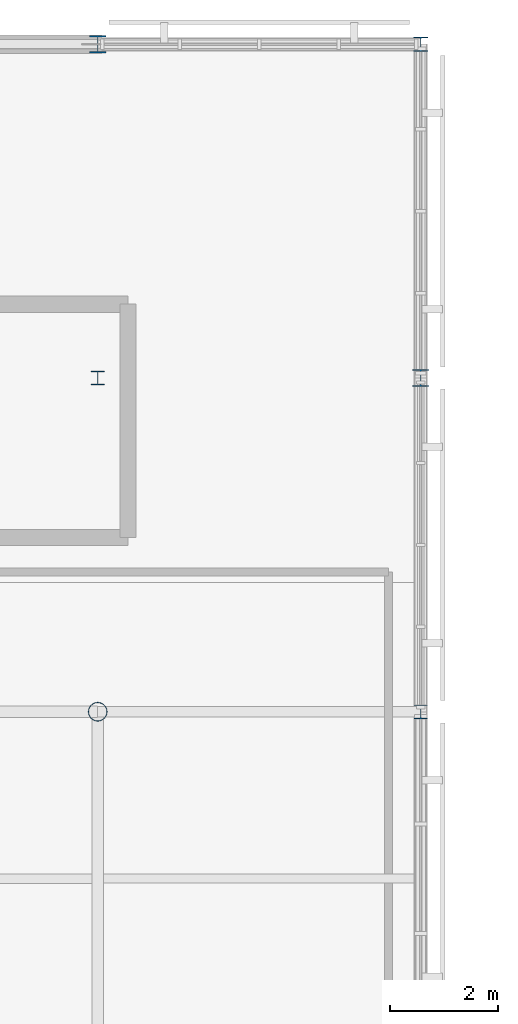
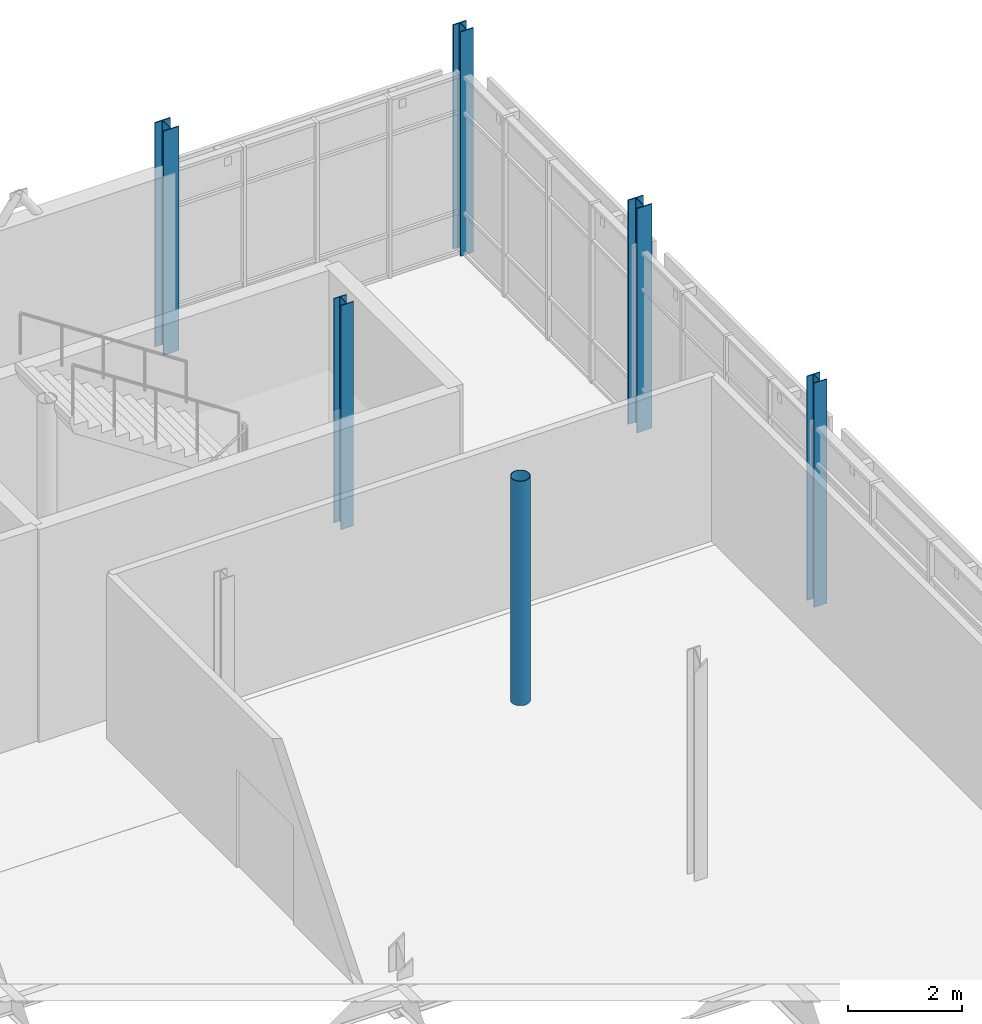
# One storey, part 18 of 84: 6 columns.
"""IFC4 building model written with IfcOpenShell, lengths in metres."""

from ifc_helpers import new_model, si_unit, direction, frame, origin, origin_2d, place, context, subcontext, project, spatial, hollow_circle, i_section, extrude, material, material_profile, profile_set, type_object, element, save


model = new_model("IFC4")

# Units and contexts
model_context = context("Model", 3, precision=1e-05, world=origin(), true_north=direction((0.0, 1.0)))
body_context = subcontext(model_context, "Body", "Model", "MODEL_VIEW")
ifc_project = project(units=[si_unit("LENGTHUNIT", "METRE"), si_unit("AREAUNIT", "SQUARE_METRE"), si_unit("VOLUMEUNIT", "CUBIC_METRE"), si_unit("PLANEANGLEUNIT", "RADIAN"), si_unit("MASSUNIT", "GRAM", prefix="KILO")], contexts=[model_context])

# Site, building, storey
site_placement = place(None, origin())
site = spatial("IfcSite", under=ifc_project, at=site_placement, CompositionType="ELEMENT")
building_placement = place(site_placement, origin())
building = spatial("IfcBuilding", under=site, at=building_placement, Name="Mirzam Square Science Centre", CompositionType="ELEMENT")
storey_placement = place(building_placement, frame((0.0, 0.0, 10.800048828125)))
storey = spatial("IfcBuildingStorey", under=building, at=storey_placement, Name="L02", CompositionType="ELEMENT", Elevation=10.800048828125)

# Columns
ifc_material = material(Name="Steel S355", Category="steel")
ifc_material_profile_1 = material_profile(ifc_material, hollow_circle(Radius=0.177734375, WallThickness=0.012451171875, at=origin_2d()), Name="355.6x12.5CHS")
ifc_profile_set_1 = profile_set([ifc_material_profile_1], Name="Steel S355")
column_type_1 = type_object("IfcColumnType", Name="COL-CHS355", PredefinedType="COLUMN", material=ifc_profile_set_1)
column_1_placement = place(storey_placement, frame((132.0, 99.199951171875, 0.0), z_axis=(0.0, 0.0, 1.0), x_axis=(1.0, 0.0, 0.0)))
element("IfcColumn", 1, at=column_1_placement, inside=storey, type_object=column_type_1, Name="L02 column G23-17", PredefinedType="COLUMN", context=body_context, shape_type="SweptSolid", body=[
    extrude(hollow_circle(Radius=0.177734375, WallThickness=0.012451171875, at=origin_2d()), origin(), (0.0, 0.0, 1.0), 4.800048828125),
])
ifc_material_profile_2 = material_profile(ifc_material, i_section(OverallWidth=0.25634765625, OverallDepth=0.26025390625, WebThickness=0.01025390625, FlangeThickness=0.017333984375, FilletRadius=0.0126953125, at=origin_2d()), Name="254x254x89UC")
ifc_profile_set_2 = profile_set([ifc_material_profile_2], Name="Steel S355")
column_type_2 = type_object("IfcColumnType", Name="COL-UC254A", PredefinedType="COLUMN", material=ifc_profile_set_2)
for number, where, z_axis, x_axis, name in (
    (2, (132.0, 105.39990234375, 0.0), (0.0, 0.0, 1.0), (1.0, 0.0, 0.0), "L02 column G23-18"),
    (3, (138.0, 99.199951171875, 0.0), (0.0, 0.0, 1.0), (1.0, 0.0, 0.0), "L02 column G24-17"),
):
    element("IfcColumn", number, at=place(storey_placement, frame(where, z_axis=z_axis, x_axis=x_axis)), inside=storey, type_object=column_type_2, Name=name, PredefinedType="COLUMN", context=body_context, shape_type="SweptSolid", body=[
        extrude(i_section(OverallWidth=0.25634765625, OverallDepth=0.26025390625, WebThickness=0.01025390625, FlangeThickness=0.017333984375, FilletRadius=0.0126953125, at=origin_2d()), origin(), (0.0, 0.0, 1.0), 4.800048828125),
    ])
ifc_material_profile_3 = material_profile(ifc_material, i_section(OverallWidth=0.26123046875, OverallDepth=0.2763671875, WebThickness=0.015380859375, FlangeThickness=0.025390625, FilletRadius=0.0126953125, at=origin_2d()), Name="254x254x132UC")
ifc_profile_set_3 = profile_set([ifc_material_profile_3], Name="Steel S355")
column_type_3 = type_object("IfcColumnType", Name="COL-UC254B", PredefinedType="COLUMN", material=ifc_profile_set_3)
column_2_placement = place(storey_placement, frame((138.0, 111.60009765625, 0.0), z_axis=(0.0, 0.0, 1.0), x_axis=(1.0, 0.0, 0.0)))
element("IfcColumn", 4, at=column_2_placement, inside=storey, type_object=column_type_3, Name="L02 column G24-19", PredefinedType="COLUMN", context=body_context, shape_type="SweptSolid", body=[
    extrude(i_section(OverallWidth=0.26123046875, OverallDepth=0.2763671875, WebThickness=0.015380859375, FlangeThickness=0.025390625, FilletRadius=0.0126953125, at=origin_2d()), origin(), (0.0, 0.0, 1.0), 4.800048828125),
])
ifc_material_profile_4 = material_profile(ifc_material, i_section(OverallWidth=0.30908203125, OverallDepth=0.320556640625, WebThickness=0.013916015625, FlangeThickness=0.021728515625, FilletRadius=0.01513671875, at=origin_2d()), Name="305x305x137UC")
ifc_profile_set_4 = profile_set([ifc_material_profile_4], Name="Steel S355")
column_type_4 = type_object("IfcColumnType", Name="COL-UC305A", PredefinedType="COLUMN", material=ifc_profile_set_4)
for number, where, z_axis, x_axis, name in (
    (5, (132.0, 111.60009765625, 0.0), (0.0, 0.0, 1.0), (1.0, 0.0, 0.0), "L02 column G23-19"),
    (6, (138.0, 105.39990234375, 0.0), (0.0, 0.0, 1.0), (1.0, 0.0, 0.0), "L02 column G24-18"),
):
    element("IfcColumn", number, at=place(storey_placement, frame(where, z_axis=z_axis, x_axis=x_axis)), inside=storey, type_object=column_type_4, Name=name, PredefinedType="COLUMN", context=body_context, shape_type="SweptSolid", body=[
        extrude(i_section(OverallWidth=0.30908203125, OverallDepth=0.320556640625, WebThickness=0.013916015625, FlangeThickness=0.021728515625, FilletRadius=0.01513671875, at=origin_2d()), origin(), (0.0, 0.0, 1.0), 4.800048828125),
    ])

save(model, "model.ifc")
